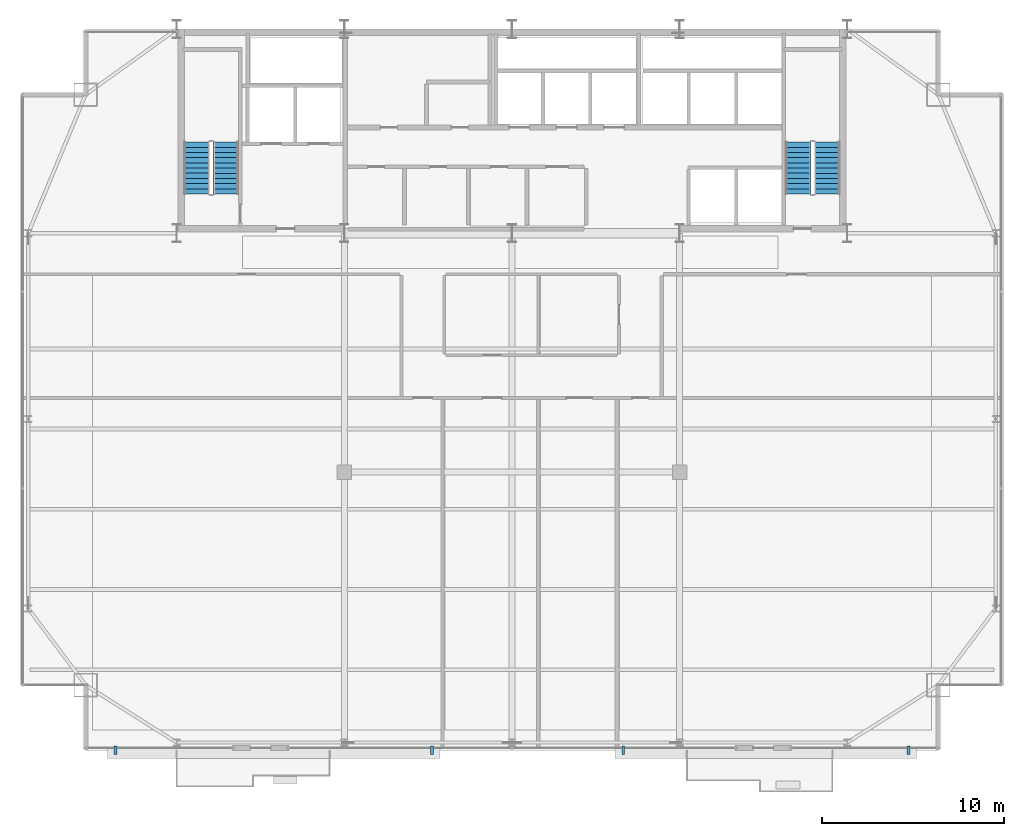
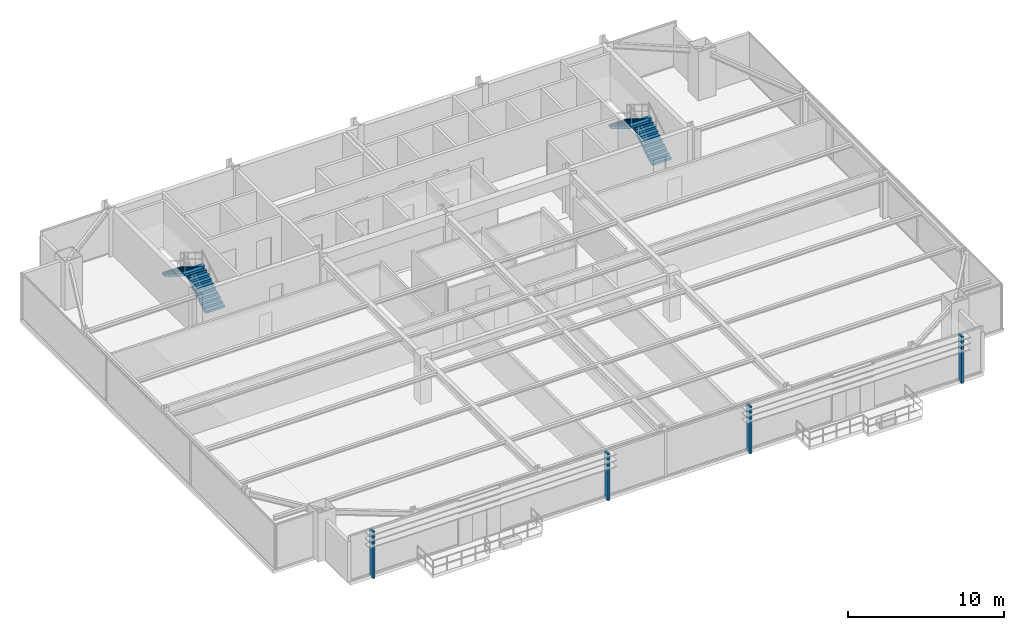
# One storey, part 29 of 31: 4 discrete accessories, 4 stair flights, 2 elements without a shape of their own.
"""IFC4 building model written with IfcOpenShell, lengths in metres."""

import ifcopenshell
import ifcopenshell.guid

model = None  # the IFC model being written
_history = None  # IfcOwnerHistory: only IFC2X3 demands one
_inside = {}  # id of a spatial element -> (the spatial element, [elements in it])
_under = {}  # id of a project, library or spatial element -> (it, [spatial elements below it])
_declared = {}  # id of a project -> (the project, [libraries it declares])
_typed = {}  # id of a type object -> (the type object, [elements of that type])
_made_of = {}  # id of a material, layer set ... -> (it, [elements and type objects made of it])


def new_model(schema):
    """Start an empty IFC model of exactly this schema.

    Asked for "IFC4X3", IfcOpenShell would pick the latest addendum, in which some entities
    have other attributes; the version numbers below select the first issue.
    IFC2X3 requires an IfcOwnerHistory on every rooted entity: one is made here for all.
    """
    global model, _history
    if schema == "IFC4X3":
        model = ifcopenshell.file(schema_version=(4, 3, 0, 0))
    else:
        model = ifcopenshell.file(schema=schema)
    _inside.clear()
    _under.clear()
    _declared.clear()
    _typed.clear()
    _made_of.clear()
    _history = None
    if model.schema == "IFC2X3":
        org = make("IfcOrganization", Name="unknown")
        user = make(
            "IfcPersonAndOrganization",
            ThePerson=make("IfcPerson", FamilyName="unknown"),
            TheOrganization=org,
        )
        app = make(
            "IfcApplication",
            ApplicationDeveloper=org,
            Version="unknown",
            ApplicationFullName="unknown",
            ApplicationIdentifier="unknown",
        )
        _history = make(
            "IfcOwnerHistory",
            OwningUser=user,
            OwningApplication=app,
            ChangeAction="ADDED",
            CreationDate=0,
        )
    return model


def make(cls, **values):
    """One entity of the class cls with the attributes given. An attribute that is None is left unset."""
    return model.create_entity(
        cls, **{name: value for name, value in values.items() if value is not None}
    )


def rooted(cls, **values):
    """An entity with a GlobalId (a new one), such as an element, a storey or a relation."""
    return make(cls, GlobalId=ifcopenshell.guid.new(), OwnerHistory=_history, **values)


def si_unit(unit_type, name, prefix=None):
    """IfcSIUnit, for example si_unit("LENGTHUNIT", "METRE", prefix="MILLI")."""
    return make("IfcSIUnit", UnitType=unit_type, Prefix=prefix, Name=name)


def assignment(units):
    """IfcUnitAssignment: the units of a project."""
    return None if units is None else make("IfcUnitAssignment", Units=units)


def point(xyz):
    """IfcCartesianPoint."""
    return None if xyz is None else make("IfcCartesianPoint", Coordinates=xyz)


def direction(xyz):
    """IfcDirection."""
    return None if xyz is None else make("IfcDirection", DirectionRatios=xyz)


def frame(location, z_axis=None, x_axis=None):
    """IfcAxis2Placement3D, a coordinate frame: its origin and axes. An axis left out is left unset."""
    return make(
        "IfcAxis2Placement3D",
        Location=point(location),
        Axis=direction(z_axis),
        RefDirection=direction(x_axis),
    )


def frame_2d(location, x_axis=None):
    """IfcAxis2Placement2D, a coordinate frame in the plane: its origin and x axis."""
    return make(
        "IfcAxis2Placement2D", Location=point(location), RefDirection=direction(x_axis)
    )


def origin():
    """The frame at (0, 0, 0) with its axes left unset."""
    return frame((0.0, 0.0, 0.0))


def origin_2d():
    """The frame at (0, 0) in the plane with its x axis left unset."""
    return frame_2d((0.0, 0.0))


def place(relative_to, where):
    """IfcLocalPlacement: puts the frame where relative to a parent placement (None: the world)."""
    return make(
        "IfcLocalPlacement", PlacementRelTo=relative_to, RelativePlacement=where
    )


def context(
    kind, dimensions, precision=None, world=None, true_north=None, identifier=None
):
    """IfcGeometricRepresentationContext, for example the 3D "Model" context."""
    return make(
        "IfcGeometricRepresentationContext",
        ContextIdentifier=identifier,
        ContextType=kind,
        CoordinateSpaceDimension=dimensions,
        Precision=precision,
        WorldCoordinateSystem=world,
        TrueNorth=true_north,
    )


def subcontext(parent, identifier, kind, view, scale=None):
    """IfcGeometricRepresentationSubContext, for example "Body" below "Model"."""
    return make(
        "IfcGeometricRepresentationSubContext",
        ContextIdentifier=identifier,
        ContextType=kind,
        ParentContext=parent,
        TargetScale=scale,
        TargetView=view,
    )


def project(units=None, contexts=None):
    """IfcProject with its units and contexts."""
    return rooted(
        "IfcProject",
        Name="project",
        RepresentationContexts=contexts,
        UnitsInContext=assignment(units),
    )


def spatial(cls, under=None, at=None, **own):
    """A site, building, storey or space (cls), placed at a placement, below another one or the project."""
    s = rooted(cls, ObjectPlacement=at, **own)
    if under is not None:
        _under.setdefault(under.id(), (under, []))[1].append(s)
    return s


def polyline(points):
    """IfcPolyline through the points."""
    return make("IfcPolyline", Points=[point(p) for p in points])


def profile(cls, at=None, kind="AREA", **sizes):
    """A parametric profile (cls). Its sizes go by their IFC names, for example OverallWidth=200.0."""
    return make(cls, ProfileType=kind, Position=at, **sizes)


def rectangle(**sizes):
    """IfcRectangleProfileDef."""
    return profile("IfcRectangleProfileDef", **sizes)


def outline(outer, holes=None, kind="AREA"):
    """IfcArbitraryClosedProfileDef: a profile drawn as a closed curve; with holes, ...WithVoids."""
    if holes is None:
        return make("IfcArbitraryClosedProfileDef", ProfileType=kind, OuterCurve=outer)
    return make(
        "IfcArbitraryProfileDefWithVoids",
        ProfileType=kind,
        OuterCurve=outer,
        InnerCurves=holes,
    )


def extrude(swept, where, along, depth):
    """IfcExtrudedAreaSolid: the profile swept, set in the frame where, extruded along a direction by depth."""
    return make(
        "IfcExtrudedAreaSolid",
        SweptArea=swept,
        Position=where,
        ExtrudedDirection=direction(along),
        Depth=depth,
    )


def shape(context_of_items, identifier, shape_type, items):
    """IfcShapeRepresentation: the items that make up one representation, for example the "Body"."""
    return make(
        "IfcShapeRepresentation",
        ContextOfItems=context_of_items,
        RepresentationIdentifier=identifier,
        RepresentationType=shape_type,
        Items=items,
    )


def source(mapping_origin, context_of_items, identifier, shape_type, items):
    """IfcRepresentationMap: a shape defined once, which mapped items show again and again."""
    return make(
        "IfcRepresentationMap",
        MappingOrigin=mapping_origin,
        MappedRepresentation=shape(context_of_items, identifier, shape_type, items),
    )


def transform(
    local_origin,
    x_axis=None,
    y_axis=None,
    z_axis=None,
    scale=None,
    scale2=None,
    scale3=None,
    uniform=True,
):
    """IfcCartesianTransformationOperator3D, or its non-uniform kind. x_axis, y_axis, z_axis: its Axis1, 2, 3."""
    if uniform:
        return make(
            "IfcCartesianTransformationOperator3D",
            Axis1=direction(x_axis),
            Axis2=direction(y_axis),
            LocalOrigin=point(local_origin),
            Scale=scale,
            Axis3=direction(z_axis),
        )
    return make(
        "IfcCartesianTransformationOperator3DnonUniform",
        Axis1=direction(x_axis),
        Axis2=direction(y_axis),
        LocalOrigin=point(local_origin),
        Scale=scale,
        Axis3=direction(z_axis),
        Scale2=scale2,
        Scale3=scale3,
    )


def mapped(mapping_source, mapping_target):
    """IfcMappedItem: shows the shape of a source again, moved by a transform."""
    return make(
        "IfcMappedItem", MappingSource=mapping_source, MappingTarget=mapping_target
    )


def material(Name=None, Category=None):
    """IfcMaterial."""
    return make("IfcMaterial", Name=Name, Category=Category)


def layer(
    of_material, thickness, ventilated=None, Name=None, Category=None, Priority=None
):
    """IfcMaterialLayer: one layer of a wall or slab, of a material (None: an air gap)."""
    return make(
        "IfcMaterialLayer",
        Material=of_material,
        LayerThickness=thickness,
        IsVentilated=ventilated,
        Name=Name,
        Category=Category,
        Priority=Priority,
    )


def layer_set(layers, Name=None):
    """IfcMaterialLayerSet."""
    return make("IfcMaterialLayerSet", MaterialLayers=layers, LayerSetName=Name)


def made_of(thing, what):
    """Note that an element or type object is made of a material, layer set ...; save() writes the relation."""
    if what is not None:
        _made_of.setdefault(what.id(), (what, []))[1].append(thing)
    return thing


def type_object(cls, material=None, **own):
    """A type object (cls), such as IfcWallType, which elements share."""
    return made_of(rooted(cls, **own), material)


def type_shapes(of_type, sources):
    """Give a type object the sources (RepresentationMaps) that its elements show as mapped items."""
    of_type.RepresentationMaps = sources


def element(
    cls,
    number,
    at=None,
    inside=None,
    cuts=None,
    type_object=None,
    material=None,
    context=None,
    identifier="Body",
    shape_type=None,
    held_by="IfcProductDefinitionShape",
    body=None,
    shapes=None,
    **own,
):
    """One element of the class cls, such as IfcWall. Its Tag is "e" and its number.

    at: its placement. inside: the storey or other place that contains it. cuts: it is an
    opening in that element (IfcRelVoidsElement). A single representation is given by context,
    identifier, shape_type and body (its items); several are given by shapes. held_by: the class
    of the entity that holds the representations. save() writes the other relations.
    """
    e = rooted(cls, Tag="e%d" % number, ObjectPlacement=at, **own)
    if body is not None:
        shapes = [shape(context, identifier, shape_type, body)]
    if shapes is not None:
        e.Representation = make(held_by, Representations=shapes)
    if inside is not None:
        _inside.setdefault(inside.id(), (inside, []))[1].append(e)
    if cuts is not None:
        rooted(
            "IfcRelVoidsElement", RelatingBuildingElement=cuts, RelatedOpeningElement=e
        )
    if type_object is not None:
        _typed.setdefault(type_object.id(), (type_object, []))[1].append(e)
    return made_of(e, material)


def aggregate(whole, parts):
    """IfcRelAggregates: a whole, such as a stair, and the parts it consists of."""
    return rooted("IfcRelAggregates", RelatingObject=whole, RelatedObjects=parts)


def save(model, path):
    """Write the relations noted so far, then the file.

    IfcRelAggregates (storeys below a building ...), IfcRelContainedInSpatialStructure (elements
    in a storey), IfcRelDefinesByType, IfcRelAssociatesMaterial and IfcRelDeclares: one each for
    every whole, place, type object, material and project.
    """
    for whole, parts in _under.values():
        aggregate(whole, parts)
    for where, things in _inside.values():
        rooted(
            "IfcRelContainedInSpatialStructure",
            RelatedElements=things,
            RelatingStructure=where,
        )
    for kind, things in _typed.values():
        rooted("IfcRelDefinesByType", RelatedObjects=things, RelatingType=kind)
    for what, things in _made_of.values():
        rooted("IfcRelAssociatesMaterial", RelatedObjects=things, RelatingMaterial=what)
    for by, libraries in _declared.values():
        rooted("IfcRelDeclares", RelatingContext=by, RelatedDefinitions=libraries)
    model.write(path)


model = new_model("IFC4")

# Units and contexts
model_context = context("Model", 3, precision=1e-05, world=origin(), true_north=direction((0.0, 1.0)))
body_context = subcontext(model_context, "Body", "Model", "MODEL_VIEW")
ifc_project = project(units=[si_unit("LENGTHUNIT", "METRE"), si_unit("AREAUNIT", "SQUARE_METRE"), si_unit("VOLUMEUNIT", "CUBIC_METRE"), si_unit("PLANEANGLEUNIT", "RADIAN"), si_unit("MASSUNIT", "GRAM", prefix="KILO")], contexts=[model_context])

# Site, building, storey
site_placement = place(None, origin())
site = spatial("IfcSite", under=ifc_project, at=site_placement, CompositionType="ELEMENT")
building_placement = place(site_placement, origin())
building = spatial("IfcBuilding", under=site, at=building_placement, Name="Varnel Quay Broadcast Tower", CompositionType="ELEMENT")
storey_placement = place(building_placement, frame((0.0, 0.0, 157.199951171875)))
storey = spatial("IfcBuildingStorey", under=building, at=storey_placement, Name="L38", CompositionType="ELEMENT", Elevation=157.199951171875)

# Stair, stair flights
ifc_material_1 = material(Name="Precast Structural Concrete C40/50", Category="concrete")
stair_type_1 = type_object("IfcStairType", Name="Stair_ST-01", PredefinedType="HALF_TURN_STAIR", material=ifc_material_1)
stair_1_placement = place(storey_placement, origin())
stair_1 = element("IfcStair", 1, at=stair_1_placement, inside=storey, type_object=stair_type_1, Name="L38 West Core Exit Stair 1", PredefinedType="HALF_TURN_STAIR")
stair_flight_type_1 = type_object("IfcStairFlightType", Name="Flight_ST-01", PredefinedType="STRAIGHT", material=ifc_material_1)
stair_flight_1_placement = place(storey_placement, frame((18.300048828125, 37.75, 0.0), z_axis=(0.0, 0.0, 1.0), x_axis=(0.0, 1.0, 0.0)))
stair_flight_1 = element("IfcStairFlight", 2, at=stair_flight_1_placement, type_object=stair_flight_type_1, Name="ST-01 flight 1", NumberOfRisers=11, NumberOfTreads=10, PredefinedType="STRAIGHT", RiserHeight=0.172727273, TreadLength=0.285, context=body_context, shape_type="SweptSolid", body=[
    extrude(outline(polyline([(0.0, 0.0), (0.0, 0.172607421875), (0.284912109375, 0.172607421875), (0.284912109375, 0.345458984375), (0.570068359375, 0.345458984375), (0.570068359375, 0.51806640625), (0.85498046875, 0.51806640625), (0.85498046875, 0.69091796875), (1.139892578125, 0.69091796875), (1.139892578125, 0.863525390625), (1.425048828125, 0.863525390625), (1.425048828125, 1.036376953125), (1.7099609375, 1.036376953125), (1.7099609375, 1.208984375), (1.9951171875, 1.208984375), (1.9951171875, 1.3818359375), (2.280029296875, 1.3818359375), (2.280029296875, 1.554443359375), (2.56494140625, 1.554443359375), (2.56494140625, 1.727294921875), (2.85009765625, 1.727294921875), (2.85009765625, 1.89990234375), (2.85009765625, 1.552001953125), (0.289306640625, 0.0), (0.0, 0.0)])), frame((0.0, 0.699951171875, 0.0), z_axis=(0.0, -1.0, 0.0), x_axis=(1.0, 0.0, 0.0)), (0.0, 0.0, 1.0), 1.39990234375),
])
stair_flight_2_placement = place(storey_placement, frame((16.699951171875, 40.60009765625, 1.900146484375), z_axis=(0.0, 0.0, 1.0), x_axis=(0.0, -1.0, 0.0)))
stair_flight_2 = element("IfcStairFlight", 3, at=stair_flight_2_placement, type_object=stair_flight_type_1, Name="ST-01 flight 2", NumberOfRisers=11, NumberOfTreads=10, PredefinedType="STRAIGHT", RiserHeight=0.172727273, TreadLength=0.285, context=body_context, shape_type="SweptSolid", body=[
    extrude(outline(polyline([(0.0, 0.0), (0.0, 0.172607421875), (0.284912109375, 0.172607421875), (0.284912109375, 0.345458984375), (0.570068359375, 0.345458984375), (0.570068359375, 0.51806640625), (0.85498046875, 0.51806640625), (0.85498046875, 0.69091796875), (1.139892578125, 0.69091796875), (1.139892578125, 0.863525390625), (1.425048828125, 0.863525390625), (1.425048828125, 1.036376953125), (1.7099609375, 1.036376953125), (1.7099609375, 1.208984375), (1.9951171875, 1.208984375), (1.9951171875, 1.3818359375), (2.280029296875, 1.3818359375), (2.280029296875, 1.554443359375), (2.56494140625, 1.554443359375), (2.56494140625, 1.727294921875), (2.85009765625, 1.727294921875), (2.85009765625, 1.89990234375), (2.85009765625, 1.552001953125), (0.289306640625, 0.0), (0.0, 0.0)])), frame((0.0, 0.699951171875, 0.0), z_axis=(0.0, -1.0, 0.0), x_axis=(1.0, 0.0, 0.0)), (0.0, 0.0, 1.0), 1.39990234375),
])
aggregate(stair_1, [stair_flight_1, stair_flight_2])

stair_type_2 = type_object("IfcStairType", Name="Stair_ST-02", PredefinedType="HALF_TURN_STAIR", material=ifc_material_1)
stair_2_placement = place(storey_placement, origin())
stair_2 = element("IfcStair", 4, at=stair_2_placement, inside=storey, type_object=stair_type_2, Name="L38 East Core Exit Stair 2", PredefinedType="HALF_TURN_STAIR")
stair_flight_type_2 = type_object("IfcStairFlightType", Name="Flight_ST-02", PredefinedType="STRAIGHT", material=ifc_material_1)
stair_flight_3_placement = place(storey_placement, frame((51.300048828125, 37.75, 0.0), z_axis=(0.0, 0.0, 1.0), x_axis=(0.0, 1.0, 0.0)))
stair_flight_3 = element("IfcStairFlight", 5, at=stair_flight_3_placement, type_object=stair_flight_type_2, Name="ST-02 flight 1", NumberOfRisers=11, NumberOfTreads=10, PredefinedType="STRAIGHT", RiserHeight=0.172727273, TreadLength=0.285, context=body_context, shape_type="SweptSolid", body=[
    extrude(outline(polyline([(0.0, 0.0), (0.0, 0.172607421875), (0.284912109375, 0.172607421875), (0.284912109375, 0.345458984375), (0.570068359375, 0.345458984375), (0.570068359375, 0.51806640625), (0.85498046875, 0.51806640625), (0.85498046875, 0.69091796875), (1.139892578125, 0.69091796875), (1.139892578125, 0.863525390625), (1.425048828125, 0.863525390625), (1.425048828125, 1.036376953125), (1.7099609375, 1.036376953125), (1.7099609375, 1.208984375), (1.9951171875, 1.208984375), (1.9951171875, 1.3818359375), (2.280029296875, 1.3818359375), (2.280029296875, 1.554443359375), (2.56494140625, 1.554443359375), (2.56494140625, 1.727294921875), (2.85009765625, 1.727294921875), (2.85009765625, 1.89990234375), (2.85009765625, 1.552001953125), (0.289306640625, 0.0), (0.0, 0.0)])), frame((0.0, 0.699951171875, 0.0), z_axis=(0.0, -1.0, 0.0), x_axis=(1.0, 0.0, 0.0)), (0.0, 0.0, 1.0), 1.39990234375),
])
stair_flight_4_placement = place(storey_placement, frame((49.699951171875, 40.60009765625, 1.900146484375), z_axis=(0.0, 0.0, 1.0), x_axis=(0.0, -1.0, 0.0)))
stair_flight_4 = element("IfcStairFlight", 6, at=stair_flight_4_placement, type_object=stair_flight_type_2, Name="ST-02 flight 2", NumberOfRisers=11, NumberOfTreads=10, PredefinedType="STRAIGHT", RiserHeight=0.172727273, TreadLength=0.285, context=body_context, shape_type="SweptSolid", body=[
    extrude(outline(polyline([(0.0, 0.0), (0.0, 0.172607421875), (0.284912109375, 0.172607421875), (0.284912109375, 0.345458984375), (0.570068359375, 0.345458984375), (0.570068359375, 0.51806640625), (0.85498046875, 0.51806640625), (0.85498046875, 0.69091796875), (1.139892578125, 0.69091796875), (1.139892578125, 0.863525390625), (1.425048828125, 0.863525390625), (1.425048828125, 1.036376953125), (1.7099609375, 1.036376953125), (1.7099609375, 1.208984375), (1.9951171875, 1.208984375), (1.9951171875, 1.3818359375), (2.280029296875, 1.3818359375), (2.280029296875, 1.554443359375), (2.56494140625, 1.554443359375), (2.56494140625, 1.727294921875), (2.85009765625, 1.727294921875), (2.85009765625, 1.89990234375), (2.85009765625, 1.552001953125), (0.289306640625, 0.0), (0.0, 0.0)])), frame((0.0, 0.699951171875, 0.0), z_axis=(0.0, -1.0, 0.0), x_axis=(1.0, 0.0, 0.0)), (0.0, 0.0, 1.0), 1.39990234375),
])
aggregate(stair_2, [stair_flight_3, stair_flight_4])

# Discrete accessories
ifc_material_2 = material(Name="Anodised Bronze Aluminium 6063-T6", Category="aluminium")
ifc_layer = layer(ifc_material_2, 0.47998046875, Name="Anodised Bronze Aluminium 6063-T6")
ifc_layer_set = layer_set([ifc_layer], Name="Anodised Bronze Aluminium 6063-T6")
discrete_accessory_type = type_object("IfcDiscreteAccessoryType", Name="Acc_FacadeBracket", PredefinedType="BRACKET", material=ifc_layer_set)
shared_shape = source(origin(), body_context, "Body", "SweptSolid", [
    extrude(rectangle(XDim=0.159912109375, YDim=0.47998046875, at=origin_2d()), origin(), (0.0, 0.0, 1.0), 3.64990234375),
])
type_shapes(discrete_accessory_type, [shared_shape])
for number, where, z_axis, x_axis, name in (
    (7, (12.25, 7.219970703125, -0.14990234375), (0.0, 0.0, 1.0), (1.0, 0.0, 0.0), "L38 Lobe 1 Louvre Support Bracket 1"),
    (8, (29.60595703125, 7.219970703125, -0.14990234375), (0.0, 0.0, 1.0), (1.0, 0.0, 0.0), "L38 Lobe 1 Louvre Support Bracket 2"),
    (9, (40.10595703125, 7.219970703125, -0.14990234375), (0.0, 0.0, 1.0), (1.0, 0.0, 0.0), "L38 Lobe 2 Louvre Support Bracket 1"),
    (10, (55.75, 7.219970703125, -0.14990234375), (0.0, 0.0, 1.0), (1.0, 0.0, 0.0), "L38 Lobe 2 Louvre Support Bracket 2"),
):
    element("IfcDiscreteAccessory", number, at=place(storey_placement, frame(where, z_axis=z_axis, x_axis=x_axis)), inside=storey, type_object=discrete_accessory_type, Name=name, PredefinedType="BRACKET", context=body_context, shape_type="MappedRepresentation", body=[
        mapped(shared_shape, transform((0.0, 0.0, 0.0), x_axis=(1.0, 0.0, 0.0), y_axis=(0.0, 1.0, 0.0), z_axis=(0.0, 0.0, 1.0), scale=1.0)),
    ])

save(model, "model.ifc")
